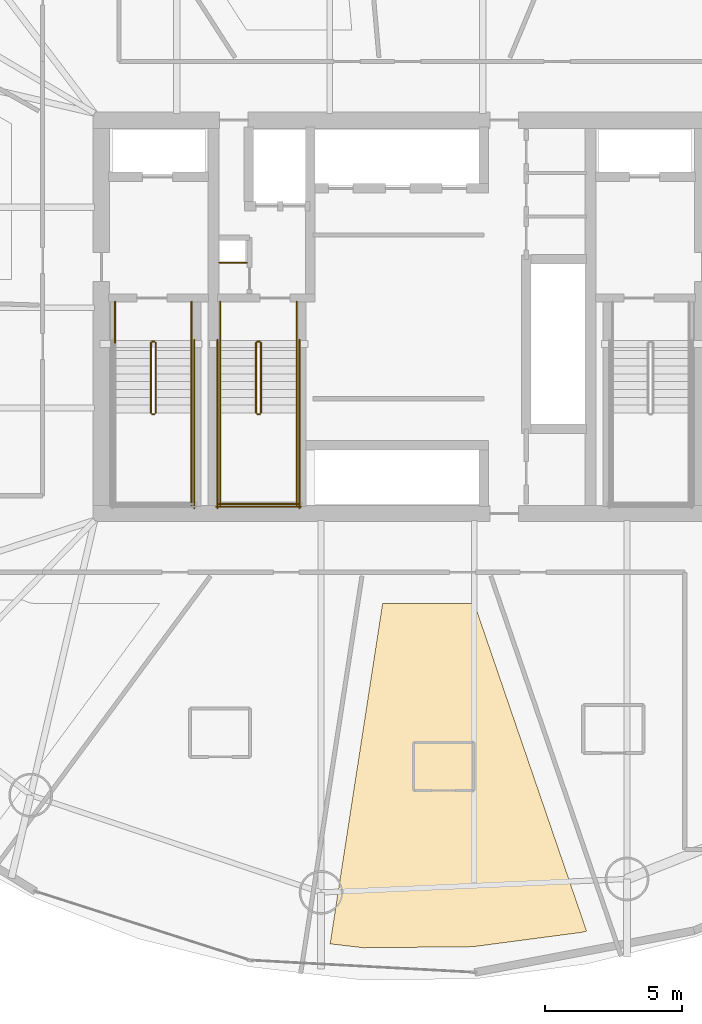
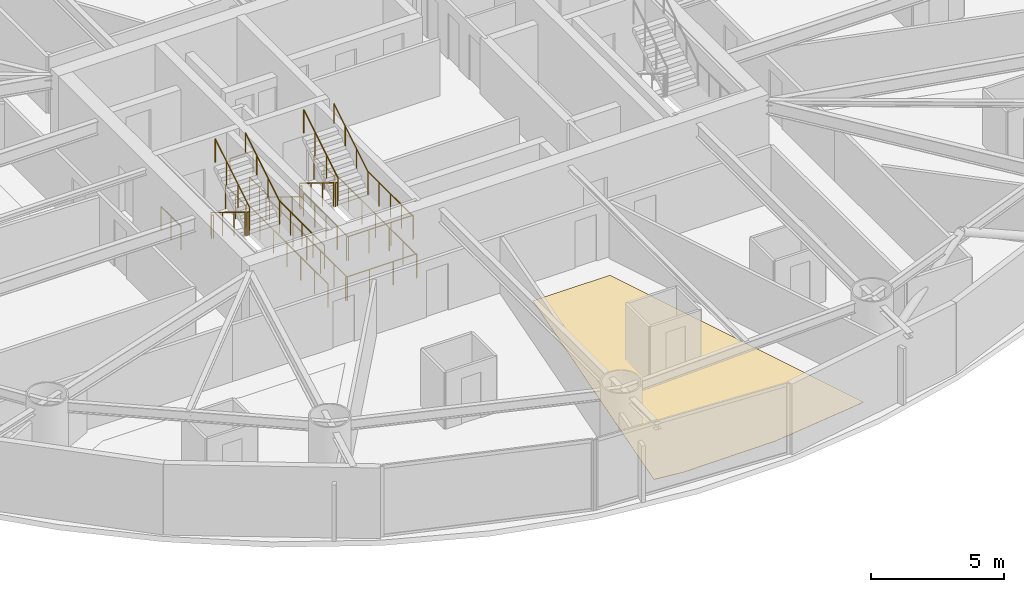
# One storey, part 24 of 26: 24 railings, 1 covering.
"""IFC4 building model written with IfcOpenShell, lengths in metres."""

from ifc_helpers import new_model, si_unit, direction, frame, origin, origin_2d, place, context, subcontext, project, spatial, polyline, circle, outline, extrude, material, layer, layer_set, type_object, element, save


model = new_model("IFC4")

# Units and contexts
model_context = context("Model", 3, precision=1e-05, world=origin(), true_north=direction((0.0, 1.0)))
body_context = subcontext(model_context, "Body", "Model", "MODEL_VIEW")
ifc_project = project(units=[si_unit("LENGTHUNIT", "METRE"), si_unit("AREAUNIT", "SQUARE_METRE"), si_unit("VOLUMEUNIT", "CUBIC_METRE"), si_unit("PLANEANGLEUNIT", "RADIAN"), si_unit("MASSUNIT", "GRAM", prefix="KILO")], contexts=[model_context])

# Site, building, storey
site_placement = place(None, origin())
site = spatial("IfcSite", under=ifc_project, at=site_placement, CompositionType="ELEMENT")
building_placement = place(site_placement, origin())
building = spatial("IfcBuilding", under=site, at=building_placement, Name="Bramvorn Convention Spire", CompositionType="ELEMENT")
storey_placement = place(building_placement, frame((0.0, 0.0, 76.39990234375)))
storey = spatial("IfcBuildingStorey", under=building, at=storey_placement, Name="L17", CompositionType="ELEMENT", Elevation=76.39990234375)

# Covering
ifc_material_1 = material(Name="Solution-Dyed Wool Broadloom Hospitality Carpet", Category="textile")
ifc_layer = layer(ifc_material_1, 0.014892578125)
ifc_layer_set = layer_set([ifc_layer], Name="Solution-Dyed Wool Broadloom Hospitality Carpet - FLR-CARPET-15")
covering_type = type_object("IfcCoveringType", Name="FLR-CARPET-15", PredefinedType="FLOORING", material=ifc_layer_set)
covering_placement = place(storey_placement, origin())
element("IfcCovering", 1, at=covering_placement, inside=storey, type_object=covering_type, Name="Hotel Suite 1710 wool broadloom carpet", PredefinedType="FLOORING", context=body_context, shape_type="SweptSolid", body=[
    extrude(outline(polyline([(44.565673828125, 3.468505859375), (44.756591796875, 3.516357421875), (40.648193359375, 15.5), (37.291015625, 15.5), (35.37060546875, 3.05078125), (36.58935546875, 2.90673828125), (40.59912109375, 2.9453125), (44.565673828125, 3.468505859375)])), origin(), (0.0, 0.0, 1.0), 0.01513671875),
])

# Railings
ifc_material_2 = material(Name="Painted Steel Balustrade & Guardrail", Category="steel")
railing_type_1 = type_object("IfcRailingType", Name="RL-STAIR-GUARD-1100", PredefinedType="GUARDRAIL", material=ifc_material_2)
railing_1_placement = place(storey_placement, frame((28.81005859375, 25.050048828125, 0.175048828125)))
element("IfcRailing", 2, at=railing_1_placement, inside=storey, type_object=railing_type_1, Name="L17 ST1 stair guard 1", PredefinedType="GUARDRAIL", context=body_context, shape_type="SweptSolid", body=[
    extrude(circle(Radius=0.02392578125, at=origin_2d()), frame((0.0, 0.0, 1.076171875), z_axis=(0.0, -0.852173129349, 0.523259933127), x_axis=(1.0, 0.0, 0.0)), (0.0, 0.0, 1.0), 3.009765625),
    extrude(circle(Radius=0.02099609375, at=origin_2d()), origin(), (0.0, 0.0, 1.0), 1.052001953125),
    extrude(circle(Radius=0.02099609375, at=origin_2d()), frame((0.0, -0.85498046875, 0.52490234375)), (0.0, 0.0, 1.0), 1.052001953125),
    extrude(circle(Radius=0.02099609375, at=origin_2d()), frame((0.0, -1.7099609375, 1.050048828125)), (0.0, 0.0, 1.0), 1.052001953125),
    extrude(circle(Radius=0.02099609375, at=origin_2d()), frame((0.0, -2.56494140625, 1.574951171875)), (0.0, 0.0, 1.0), 1.052001953125),
])
railing_2_placement = place(storey_placement, frame((28.860107421875, 22.43505859375, 1.75)))
element("IfcRailing", 3, at=railing_2_placement, inside=storey, type_object=railing_type_1, Name="L17 ST1 stair guard 2", PredefinedType="GUARDRAIL", context=body_context, shape_type="SweptSolid", body=[
    extrude(circle(Radius=0.02392578125, at=origin_2d()), frame((0.0, 0.0, 1.076171875), z_axis=(1.0, 0.0, 0.0), x_axis=(0.0, 1.0, 0.0)), (0.0, 0.0, 1.0), 0.079833984375),
    extrude(circle(Radius=0.02099609375, at=origin_2d()), origin(), (0.0, 0.0, 1.0), 1.052001953125),
    extrude(circle(Radius=0.02099609375, at=origin_2d()), frame((0.079833984375, 0.0, 0.0)), (0.0, 0.0, 1.0), 1.052001953125),
])
railing_3_placement = place(storey_placement, frame((30.300048828125, 22.485107421875, 1.75)))
element("IfcRailing", 4, at=railing_3_placement, inside=storey, type_object=railing_type_1, Name="L17 ST1 stair guard 4", PredefinedType="GUARDRAIL", context=body_context, shape_type="SweptSolid", body=[
    extrude(circle(Radius=0.02392578125, at=origin_2d()), frame((0.0, 0.0, 1.076171875), z_axis=(0.0, -1.0, 0.0), x_axis=(1.0, 0.0, 0.0)), (0.0, 0.0, 1.0), 3.385009765625),
    extrude(circle(Radius=0.02099609375, at=origin_2d()), origin(), (0.0, 0.0, 1.0), 1.052001953125),
    extrude(circle(Radius=0.02099609375, at=origin_2d()), frame((0.0, -0.84619140625, 0.0)), (0.0, 0.0, 1.0), 1.052001953125),
    extrude(circle(Radius=0.02099609375, at=origin_2d()), frame((0.0, -1.6923828125, 0.0)), (0.0, 0.0, 1.0), 1.052001953125),
    extrude(circle(Radius=0.02099609375, at=origin_2d()), frame((0.0, -2.538818359375, 0.0)), (0.0, 0.0, 1.0), 1.052001953125),
    extrude(circle(Radius=0.02099609375, at=origin_2d()), frame((0.0, -3.385009765625, 0.0)), (0.0, 0.0, 1.0), 1.052001953125),
])
railing_4_placement = place(storey_placement, frame((28.989990234375, 22.485107421875, 1.925048828125)))
element("IfcRailing", 5, at=railing_4_placement, inside=storey, type_object=railing_type_1, Name="L17 ST1 stair guard 6", PredefinedType="GUARDRAIL", context=body_context, shape_type="SweptSolid", body=[
    extrude(circle(Radius=0.02392578125, at=origin_2d()), frame((0.0, 0.0, 1.076171875), z_axis=(0.0, 0.852173129349, 0.523259933127), x_axis=(-1.0, 0.0, 0.0)), (0.0, 0.0, 1.0), 3.009765625),
    extrude(circle(Radius=0.02099609375, at=origin_2d()), origin(), (0.0, 0.0, 1.0), 1.052001953125),
    extrude(circle(Radius=0.02099609375, at=origin_2d()), frame((0.0, 0.85498046875, 0.52490234375)), (0.0, 0.0, 1.0), 1.052001953125),
    extrude(circle(Radius=0.02099609375, at=origin_2d()), frame((0.0, 1.7099609375, 1.050048828125)), (0.0, 0.0, 1.0), 1.052001953125),
    extrude(circle(Radius=0.02099609375, at=origin_2d()), frame((0.0, 2.56494140625, 1.574951171875)), (0.0, 0.0, 1.0), 1.052001953125),
])
railing_5_placement = place(storey_placement, frame((28.860107421875, 25.10009765625, 0.0)))
element("IfcRailing", 6, at=railing_5_placement, inside=storey, type_object=railing_type_1, Name="L17 ST1 stair guard 7", PredefinedType="GUARDRAIL", context=body_context, shape_type="SweptSolid", body=[
    extrude(circle(Radius=0.02392578125, at=origin_2d()), frame((0.0, 0.0, 1.076171875), z_axis=(1.0, 0.0, 0.0), x_axis=(0.0, 1.0, 0.0)), (0.0, 0.0, 1.0), 0.079833984375),
    extrude(circle(Radius=0.02099609375, at=origin_2d()), origin(), (0.0, 0.0, 1.0), 1.052001953125),
    extrude(circle(Radius=0.02099609375, at=origin_2d()), frame((0.079833984375, 0.0, 0.0)), (0.0, 0.0, 1.0), 1.052001953125),
])
for number, where, name in (
    (7, (27.5, 26.550048828125, 0.0), "L17 ST1 stair guard 8"),
    (8, (30.300048828125, 26.550048828125, 0.0), "L17 ST1 stair guard 9"),
):
    element("IfcRailing", number, at=place(storey_placement, frame(where)), inside=storey, type_object=railing_type_1, Name=name, PredefinedType="GUARDRAIL", context=body_context, shape_type="SweptSolid", body=[
        extrude(circle(Radius=0.02392578125, at=origin_2d()), frame((0.0, 0.0, 1.076171875), z_axis=(0.0, -1.0, 0.0), x_axis=(1.0, 0.0, 0.0)), (0.0, 0.0, 1.0), 1.5),
        extrude(circle(Radius=0.02099609375, at=origin_2d()), origin(), (0.0, 0.0, 1.0), 1.052001953125),
        extrude(circle(Radius=0.02099609375, at=origin_2d()), frame((0.0, -0.75, 0.0)), (0.0, 0.0, 1.0), 1.052001953125),
        extrude(circle(Radius=0.02099609375, at=origin_2d()), frame((0.0, -1.5, 0.0)), (0.0, 0.0, 1.0), 1.052001953125),
    ])
railing_6_placement = place(storey_placement, frame((30.39990234375, 25.14990234375, 0.0)))
element("IfcRailing", 9, at=railing_6_placement, inside=storey, type_object=railing_type_1, Name="L17 ST1 stair guard 11", PredefinedType="GUARDRAIL", context=body_context, shape_type="SweptSolid", body=[
    extrude(circle(Radius=0.02392578125, at=origin_2d()), frame((0.0, 0.0, 1.076171875), z_axis=(0.0, -1.0, 0.0), x_axis=(1.0, 0.0, 0.0)), (0.0, 0.0, 1.0), 6.14990234375),
    extrude(circle(Radius=0.02099609375, at=origin_2d()), origin(), (0.0, 0.0, 1.0), 1.052001953125),
    extrude(circle(Radius=0.02099609375, at=origin_2d()), frame((0.0, -1.02490234375, 0.0)), (0.0, 0.0, 1.0), 1.052001953125),
    extrude(circle(Radius=0.02099609375, at=origin_2d()), frame((0.0, -2.050048828125, 0.0)), (0.0, 0.0, 1.0), 1.052001953125),
    extrude(circle(Radius=0.02099609375, at=origin_2d()), frame((0.0, -3.074951171875, 0.0)), (0.0, 0.0, 1.0), 1.052001953125),
    extrude(circle(Radius=0.02099609375, at=origin_2d()), frame((0.0, -4.099853515625, 0.0)), (0.0, 0.0, 1.0), 1.052001953125),
    extrude(circle(Radius=0.02099609375, at=origin_2d()), frame((0.0, -5.125, 0.0)), (0.0, 0.0, 1.0), 1.052001953125),
    extrude(circle(Radius=0.02099609375, at=origin_2d()), frame((0.0, -6.14990234375, 0.0)), (0.0, 0.0, 1.0), 1.052001953125),
])
railing_7_placement = place(storey_placement, frame((32.659912109375, 25.050048828125, 0.175048828125)))
element("IfcRailing", 10, at=railing_7_placement, inside=storey, type_object=railing_type_1, Name="L17 ST3 stair guard 1", PredefinedType="GUARDRAIL", context=body_context, shape_type="SweptSolid", body=[
    extrude(circle(Radius=0.02392578125, at=origin_2d()), frame((0.0, 0.0, 1.076171875), z_axis=(0.0, -0.852173129349, 0.523259933127), x_axis=(1.0, 0.0, 0.0)), (0.0, 0.0, 1.0), 3.009765625),
    extrude(circle(Radius=0.02099609375, at=origin_2d()), origin(), (0.0, 0.0, 1.0), 1.052001953125),
    extrude(circle(Radius=0.02099609375, at=origin_2d()), frame((0.0, -0.85498046875, 0.52490234375)), (0.0, 0.0, 1.0), 1.052001953125),
    extrude(circle(Radius=0.02099609375, at=origin_2d()), frame((0.0, -1.7099609375, 1.050048828125)), (0.0, 0.0, 1.0), 1.052001953125),
    extrude(circle(Radius=0.02099609375, at=origin_2d()), frame((0.0, -2.56494140625, 1.574951171875)), (0.0, 0.0, 1.0), 1.052001953125),
])
railing_8_placement = place(storey_placement, frame((32.7099609375, 22.43505859375, 1.75)))
element("IfcRailing", 11, at=railing_8_placement, inside=storey, type_object=railing_type_1, Name="L17 ST3 stair guard 2", PredefinedType="GUARDRAIL", context=body_context, shape_type="SweptSolid", body=[
    extrude(circle(Radius=0.02392578125, at=origin_2d()), frame((0.0, 0.0, 1.076171875), z_axis=(1.0, 0.0, 0.0), x_axis=(0.0, 1.0, 0.0)), (0.0, 0.0, 1.0), 0.080078125),
    extrude(circle(Radius=0.02099609375, at=origin_2d()), origin(), (0.0, 0.0, 1.0), 1.052001953125),
    extrude(circle(Radius=0.02099609375, at=origin_2d()), frame((0.080078125, 0.0, 0.0)), (0.0, 0.0, 1.0), 1.052001953125),
])
for number, where, name in (
    (12, (31.35009765625, 22.485107421875, 1.75), "L17 ST3 stair guard 3"),
    (13, (34.14990234375, 22.485107421875, 1.75), "L17 ST3 stair guard 4"),
):
    element("IfcRailing", number, at=place(storey_placement, frame(where)), inside=storey, type_object=railing_type_1, Name=name, PredefinedType="GUARDRAIL", context=body_context, shape_type="SweptSolid", body=[
        extrude(circle(Radius=0.02392578125, at=origin_2d()), frame((0.0, 0.0, 1.076171875), z_axis=(0.0, -1.0, 0.0), x_axis=(1.0, 0.0, 0.0)), (0.0, 0.0, 1.0), 3.385009765625),
        extrude(circle(Radius=0.02099609375, at=origin_2d()), origin(), (0.0, 0.0, 1.0), 1.052001953125),
        extrude(circle(Radius=0.02099609375, at=origin_2d()), frame((0.0, -0.84619140625, 0.0)), (0.0, 0.0, 1.0), 1.052001953125),
        extrude(circle(Radius=0.02099609375, at=origin_2d()), frame((0.0, -1.6923828125, 0.0)), (0.0, 0.0, 1.0), 1.052001953125),
        extrude(circle(Radius=0.02099609375, at=origin_2d()), frame((0.0, -2.538818359375, 0.0)), (0.0, 0.0, 1.0), 1.052001953125),
        extrude(circle(Radius=0.02099609375, at=origin_2d()), frame((0.0, -3.385009765625, 0.0)), (0.0, 0.0, 1.0), 1.052001953125),
    ])
railing_9_placement = place(storey_placement, frame((31.300048828125, 19.14990234375, 1.75)))
element("IfcRailing", 14, at=railing_9_placement, inside=storey, type_object=railing_type_1, Name="L17 ST3 stair guard 5", PredefinedType="GUARDRAIL", context=body_context, shape_type="SweptSolid", body=[
    extrude(circle(Radius=0.02392578125, at=origin_2d()), frame((0.0, 0.0, 1.076171875), z_axis=(1.0, 0.0, 0.0), x_axis=(0.0, 1.0, 0.0)), (0.0, 0.0, 1.0), 2.89990234375),
    extrude(circle(Radius=0.02099609375, at=origin_2d()), origin(), (0.0, 0.0, 1.0), 1.052001953125),
    extrude(circle(Radius=0.02099609375, at=origin_2d()), frame((0.966552734375, 0.0, 0.0)), (0.0, 0.0, 1.0), 1.052001953125),
    extrude(circle(Radius=0.02099609375, at=origin_2d()), frame((1.933349609375, 0.0, 0.0)), (0.0, 0.0, 1.0), 1.052001953125),
    extrude(circle(Radius=0.02099609375, at=origin_2d()), frame((2.89990234375, 0.0, 0.0)), (0.0, 0.0, 1.0), 1.052001953125),
])
railing_10_placement = place(storey_placement, frame((32.840087890625, 22.485107421875, 1.925048828125)))
element("IfcRailing", 15, at=railing_10_placement, inside=storey, type_object=railing_type_1, Name="L17 ST3 stair guard 6", PredefinedType="GUARDRAIL", context=body_context, shape_type="SweptSolid", body=[
    extrude(circle(Radius=0.02392578125, at=origin_2d()), frame((0.0, 0.0, 1.076171875), z_axis=(0.0, 0.852173129349, 0.523259933127), x_axis=(-1.0, 0.0, 0.0)), (0.0, 0.0, 1.0), 3.009765625),
    extrude(circle(Radius=0.02099609375, at=origin_2d()), origin(), (0.0, 0.0, 1.0), 1.052001953125),
    extrude(circle(Radius=0.02099609375, at=origin_2d()), frame((0.0, 0.85498046875, 0.52490234375)), (0.0, 0.0, 1.0), 1.052001953125),
    extrude(circle(Radius=0.02099609375, at=origin_2d()), frame((0.0, 1.7099609375, 1.050048828125)), (0.0, 0.0, 1.0), 1.052001953125),
    extrude(circle(Radius=0.02099609375, at=origin_2d()), frame((0.0, 2.56494140625, 1.574951171875)), (0.0, 0.0, 1.0), 1.052001953125),
])
railing_11_placement = place(storey_placement, frame((32.7099609375, 25.10009765625, 0.0)))
element("IfcRailing", 16, at=railing_11_placement, inside=storey, type_object=railing_type_1, Name="L17 ST3 stair guard 7", PredefinedType="GUARDRAIL", context=body_context, shape_type="SweptSolid", body=[
    extrude(circle(Radius=0.02392578125, at=origin_2d()), frame((0.0, 0.0, 1.076171875), z_axis=(1.0, 0.0, 0.0), x_axis=(0.0, 1.0, 0.0)), (0.0, 0.0, 1.0), 0.080078125),
    extrude(circle(Radius=0.02099609375, at=origin_2d()), origin(), (0.0, 0.0, 1.0), 1.052001953125),
    extrude(circle(Radius=0.02099609375, at=origin_2d()), frame((0.080078125, 0.0, 0.0)), (0.0, 0.0, 1.0), 1.052001953125),
])
for number, where, name in (
    (17, (31.35009765625, 26.550048828125, 0.0), "L17 ST3 stair guard 8"),
    (18, (34.14990234375, 26.550048828125, 0.0), "L17 ST3 stair guard 9"),
):
    element("IfcRailing", number, at=place(storey_placement, frame(where)), inside=storey, type_object=railing_type_1, Name=name, PredefinedType="GUARDRAIL", context=body_context, shape_type="SweptSolid", body=[
        extrude(circle(Radius=0.02392578125, at=origin_2d()), frame((0.0, 0.0, 1.076171875), z_axis=(0.0, -1.0, 0.0), x_axis=(1.0, 0.0, 0.0)), (0.0, 0.0, 1.0), 1.5),
        extrude(circle(Radius=0.02099609375, at=origin_2d()), origin(), (0.0, 0.0, 1.0), 1.052001953125),
        extrude(circle(Radius=0.02099609375, at=origin_2d()), frame((0.0, -0.75, 0.0)), (0.0, 0.0, 1.0), 1.052001953125),
        extrude(circle(Radius=0.02099609375, at=origin_2d()), frame((0.0, -1.5, 0.0)), (0.0, 0.0, 1.0), 1.052001953125),
    ])
for number, where, name in (
    (19, (31.25, 25.14990234375, 0.0), "L17 ST3 stair guard 10"),
    (20, (34.25, 25.14990234375, 0.0), "L17 ST3 stair guard 11"),
):
    element("IfcRailing", number, at=place(storey_placement, frame(where)), inside=storey, type_object=railing_type_1, Name=name, PredefinedType="GUARDRAIL", context=body_context, shape_type="SweptSolid", body=[
        extrude(circle(Radius=0.02392578125, at=origin_2d()), frame((0.0, 0.0, 1.076171875), z_axis=(0.0, -1.0, 0.0), x_axis=(1.0, 0.0, 0.0)), (0.0, 0.0, 1.0), 6.14990234375),
        extrude(circle(Radius=0.02099609375, at=origin_2d()), origin(), (0.0, 0.0, 1.0), 1.052001953125),
        extrude(circle(Radius=0.02099609375, at=origin_2d()), frame((0.0, -1.02490234375, 0.0)), (0.0, 0.0, 1.0), 1.052001953125),
        extrude(circle(Radius=0.02099609375, at=origin_2d()), frame((0.0, -2.050048828125, 0.0)), (0.0, 0.0, 1.0), 1.052001953125),
        extrude(circle(Radius=0.02099609375, at=origin_2d()), frame((0.0, -3.074951171875, 0.0)), (0.0, 0.0, 1.0), 1.052001953125),
        extrude(circle(Radius=0.02099609375, at=origin_2d()), frame((0.0, -4.099853515625, 0.0)), (0.0, 0.0, 1.0), 1.052001953125),
        extrude(circle(Radius=0.02099609375, at=origin_2d()), frame((0.0, -5.125, 0.0)), (0.0, 0.0, 1.0), 1.052001953125),
        extrude(circle(Radius=0.02099609375, at=origin_2d()), frame((0.0, -6.14990234375, 0.0)), (0.0, 0.0, 1.0), 1.052001953125),
    ])
railing_12_placement = place(storey_placement, frame((31.199951171875, 19.050048828125, 0.0)))
element("IfcRailing", 21, at=railing_12_placement, inside=storey, type_object=railing_type_1, Name="L17 ST3 stair guard 12", PredefinedType="GUARDRAIL", context=body_context, shape_type="SweptSolid", body=[
    extrude(circle(Radius=0.02392578125, at=origin_2d()), frame((0.0, 0.0, 1.076171875), z_axis=(1.0, 0.0, 0.0), x_axis=(0.0, 1.0, 0.0)), (0.0, 0.0, 1.0), 3.10009765625),
    extrude(circle(Radius=0.02099609375, at=origin_2d()), origin(), (0.0, 0.0, 1.0), 1.052001953125),
    extrude(circle(Radius=0.02099609375, at=origin_2d()), frame((1.033447265625, 0.0, 0.0)), (0.0, 0.0, 1.0), 1.052001953125),
    extrude(circle(Radius=0.02099609375, at=origin_2d()), frame((2.066650390625, 0.0, 0.0)), (0.0, 0.0, 1.0), 1.052001953125),
    extrude(circle(Radius=0.02099609375, at=origin_2d()), frame((3.10009765625, 0.0, 0.0)), (0.0, 0.0, 1.0), 1.052001953125),
])
railing_13_placement = place(storey_placement, frame((31.320068359375, 27.97998046875, 0.0)))
element("IfcRailing", 22, at=railing_13_placement, inside=storey, type_object=railing_type_1, Name="L17 Telecom riser shaft opening safety guardrail", PredefinedType="GUARDRAIL", context=body_context, shape_type="SweptSolid", body=[
    extrude(circle(Radius=0.02392578125, at=origin_2d()), frame((0.0, 0.0, 1.076171875), z_axis=(1.0, 0.0, 0.0), x_axis=(0.0, 1.0, 0.0)), (0.0, 0.0, 1.0), 1.0),
    extrude(circle(Radius=0.02099609375, at=origin_2d()), origin(), (0.0, 0.0, 1.0), 1.052001953125),
    extrude(circle(Radius=0.02099609375, at=origin_2d()), frame((1.0, 0.0, 0.0)), (0.0, 0.0, 1.0), 1.052001953125),
])
ifc_material_3 = material(Name="Brushed Bronze Tubular Handrail", Category="aluminium")
railing_type_2 = type_object("IfcRailingType", Name="RL-STAIR-HR-920", PredefinedType="HANDRAIL", material=ifc_material_3)
railing_14_placement = place(storey_placement, frame((30.300048828125, 22.485107421875, 1.925048828125)))
element("IfcRailing", 23, at=railing_14_placement, inside=storey, type_object=railing_type_2, Name="L17 ST1 stair handrail 2", PredefinedType="HANDRAIL", context=body_context, shape_type="SweptSolid", body=[
    extrude(circle(Radius=0.02392578125, at=origin_2d()), frame((0.0, 0.0, 0.89599609375), z_axis=(0.0, 0.852173129349, 0.523259933127), x_axis=(-1.0, 0.0, 0.0)), (0.0, 0.0, 1.0), 3.009765625),
    extrude(circle(Radius=0.02099609375, at=origin_2d()), origin(), (0.0, 0.0, 1.0), 0.871826171875),
    extrude(circle(Radius=0.02099609375, at=origin_2d()), frame((0.0, 0.85498046875, 0.52490234375)), (0.0, 0.0, 1.0), 0.871826171875),
    extrude(circle(Radius=0.02099609375, at=origin_2d()), frame((0.0, 1.7099609375, 1.050048828125)), (0.0, 0.0, 1.0), 0.871826171875),
    extrude(circle(Radius=0.02099609375, at=origin_2d()), frame((0.0, 2.56494140625, 1.574951171875)), (0.0, 0.0, 1.0), 0.871826171875),
])
railing_15_placement = place(storey_placement, frame((31.35009765625, 25.050048828125, 0.175048828125)))
element("IfcRailing", 24, at=railing_15_placement, inside=storey, type_object=railing_type_2, Name="L17 ST3 stair handrail 1", PredefinedType="HANDRAIL", context=body_context, shape_type="SweptSolid", body=[
    extrude(circle(Radius=0.02392578125, at=origin_2d()), frame((0.0, 0.0, 0.89599609375), z_axis=(0.0, -0.852173129349, 0.523259933127), x_axis=(1.0, 0.0, 0.0)), (0.0, 0.0, 1.0), 3.009765625),
    extrude(circle(Radius=0.02099609375, at=origin_2d()), origin(), (0.0, 0.0, 1.0), 0.871826171875),
    extrude(circle(Radius=0.02099609375, at=origin_2d()), frame((0.0, -0.85498046875, 0.52490234375)), (0.0, 0.0, 1.0), 0.871826171875),
    extrude(circle(Radius=0.02099609375, at=origin_2d()), frame((0.0, -1.7099609375, 1.050048828125)), (0.0, 0.0, 1.0), 0.871826171875),
    extrude(circle(Radius=0.02099609375, at=origin_2d()), frame((0.0, -2.56494140625, 1.574951171875)), (0.0, 0.0, 1.0), 0.871826171875),
])
railing_16_placement = place(storey_placement, frame((34.14990234375, 22.485107421875, 1.925048828125)))
element("IfcRailing", 25, at=railing_16_placement, inside=storey, type_object=railing_type_2, Name="L17 ST3 stair handrail 2", PredefinedType="HANDRAIL", context=body_context, shape_type="SweptSolid", body=[
    extrude(circle(Radius=0.02392578125, at=origin_2d()), frame((0.0, 0.0, 0.89599609375), z_axis=(0.0, 0.852173129349, 0.523259933127), x_axis=(-1.0, 0.0, 0.0)), (0.0, 0.0, 1.0), 3.009765625),
    extrude(circle(Radius=0.02099609375, at=origin_2d()), origin(), (0.0, 0.0, 1.0), 0.871826171875),
    extrude(circle(Radius=0.02099609375, at=origin_2d()), frame((0.0, 0.85498046875, 0.52490234375)), (0.0, 0.0, 1.0), 0.871826171875),
    extrude(circle(Radius=0.02099609375, at=origin_2d()), frame((0.0, 1.7099609375, 1.050048828125)), (0.0, 0.0, 1.0), 0.871826171875),
    extrude(circle(Radius=0.02099609375, at=origin_2d()), frame((0.0, 2.56494140625, 1.574951171875)), (0.0, 0.0, 1.0), 0.871826171875),
])

save(model, "model.ifc")
